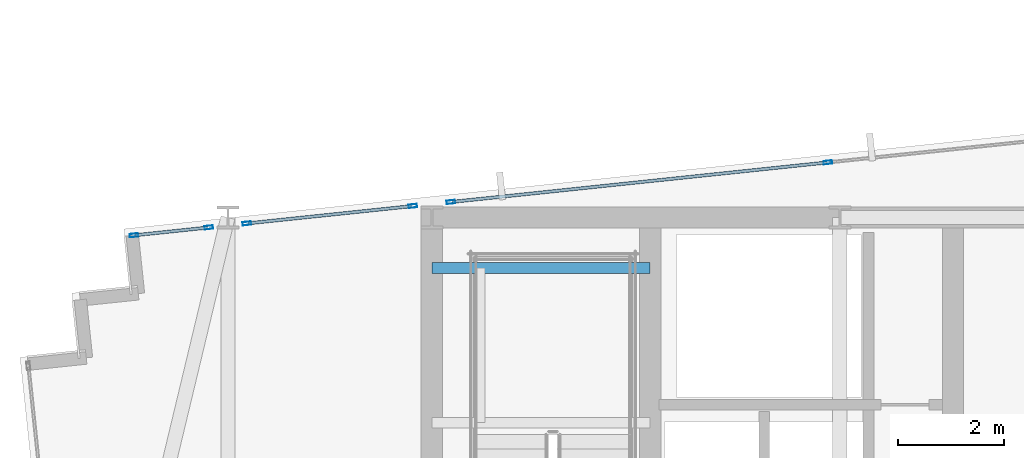
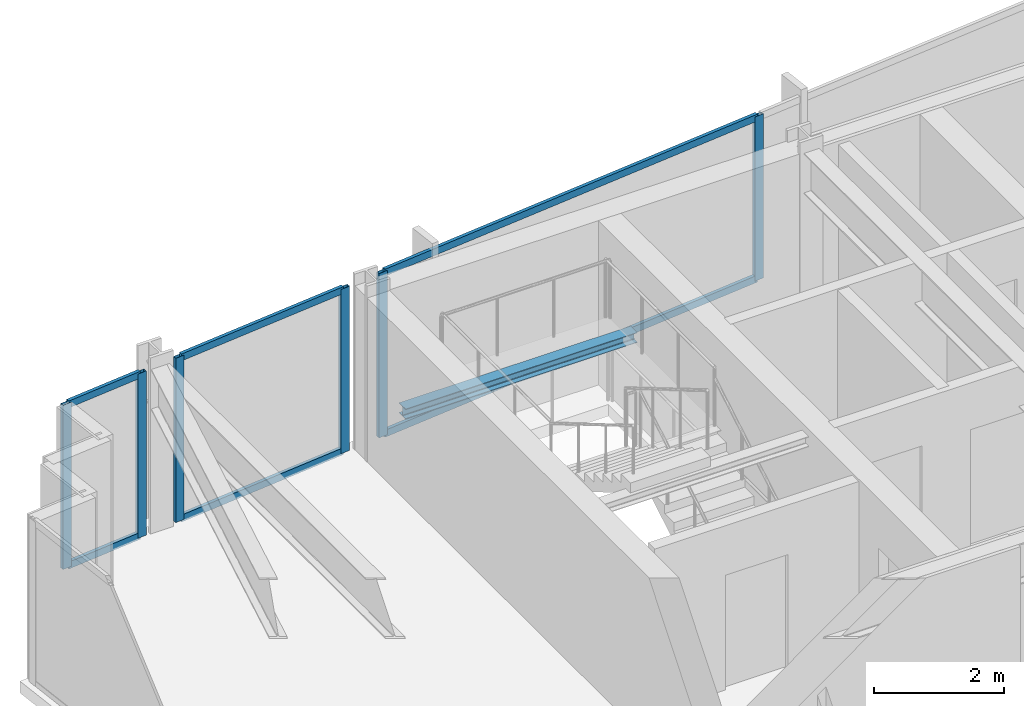
# One storey, part 20 of 33: 12 members, 1 beam, 3 elements without a shape of their own.
"""IFC4 building model written with IfcOpenShell, lengths in metres."""

from ifc_helpers import new_model, si_unit, direction, frame, origin, origin_2d, place, context, subcontext, project, spatial, hollow_rectangle, i_section, extrude, material, material_profile, profile_set, type_object, element, aggregate, save


model = new_model("IFC4")

# Units and contexts
model_context = context("Model", 3, precision=1e-05, world=origin(), true_north=direction((0.0, 1.0)))
body_context = subcontext(model_context, "Body", "Model", "MODEL_VIEW")
ifc_project = project(units=[si_unit("LENGTHUNIT", "METRE"), si_unit("AREAUNIT", "SQUARE_METRE"), si_unit("VOLUMEUNIT", "CUBIC_METRE"), si_unit("PLANEANGLEUNIT", "RADIAN"), si_unit("MASSUNIT", "GRAM", prefix="KILO")], contexts=[model_context])

# Site, building, storey
site_placement = place(None, origin())
site = spatial("IfcSite", under=ifc_project, at=site_placement, CompositionType="ELEMENT")
building_placement = place(site_placement, origin())
building = spatial("IfcBuilding", under=site, at=building_placement, Name="Yelkora Congress Tower", CompositionType="ELEMENT")
storey_placement = place(building_placement, frame((0.0, 0.0, 240.800048828125)))
storey = spatial("IfcBuildingStorey", under=building, at=storey_placement, Name="L67", CompositionType="ELEMENT", Elevation=240.800048828125)

# Beam
ifc_material_1 = material(Name="Steel S355J2", Category="steel")
ifc_material_profile_1 = material_profile(ifc_material_1, i_section(OverallWidth=0.199951171875, OverallDepth=0.18994140625, WebThickness=0.006591796875, FlangeThickness=0.010009765625, FilletRadius=0.01806640625, at=origin_2d()), Name="HEA 200")
ifc_profile_set_1 = profile_set([ifc_material_profile_1], Name="Steel S355J2")
beam_type = type_object("IfcBeamType", Name="BM-LAND-HEA200", PredefinedType="BEAM", material=ifc_profile_set_1)
beam_placement = place(storey_placement, frame((23.0400390625, 45.25, 1.33447265625), z_axis=(1.0, 0.0, 0.0), x_axis=(0.0, 1.0, 0.0)))
element("IfcBeam", 1, at=beam_placement, inside=storey, type_object=beam_type, Name="ST-01 L67 Landing Header Beam 1N", PredefinedType="BEAM", context=body_context, shape_type="SweptSolid", body=[
    extrude(i_section(OverallWidth=0.199951171875, OverallDepth=0.18994140625, WebThickness=0.006591796875, FlangeThickness=0.010009765625, FilletRadius=0.01806640625, at=origin_2d()), origin(), (0.0, 0.0, 1.0), 4.10986328125),
])

# Curtain wall, members
ifc_material_2 = material(Name="Anodised aluminium and insulated glass", Category="aluminium")
curtain_wall_type = type_object("IfcCurtainWallType", Name="CW-SYS-B4", PredefinedType="NOTDEFINED", material=ifc_material_2)
curtain_wall_1_placement = place(storey_placement, origin())
curtain_wall_1 = element("IfcCurtainWall", 2, at=curtain_wall_1_placement, inside=storey, type_object=curtain_wall_type, Name="L67 Unitised Curtain Wall 10 (1)", PredefinedType="NOTDEFINED")
ifc_material_3 = material(Name="Anodised aluminium 6063-T6", Category="aluminium")
ifc_material_profile_2 = material_profile(ifc_material_3, hollow_rectangle(XDim=0.06494140625, YDim=0.159912109375, WallThickness=0.00390625, at=origin_2d()), Name="ALU 65x160x4")
ifc_profile_set_2 = profile_set([ifc_material_profile_2], Name="Anodised aluminium 6063-T6")
member_type_1 = type_object("IfcMemberType", Name="MEM-ML-B4", PredefinedType="MULLION", material=ifc_profile_set_2)
member_1_placement = place(storey_placement, frame((17.431396484375, 45.865966796875, 0.0), z_axis=(0.0, 0.0, 1.0), x_axis=(-0.104509292244, 0.994523910137, 0.0)))
member_1 = element("IfcMember", 3, at=member_1_placement, type_object=member_type_1, Name="CW-B4 mullion 1", PredefinedType="MULLION", context=body_context, shape_type="SweptSolid", body=[
    extrude(hollow_rectangle(XDim=0.06494140625, YDim=0.159912109375, WallThickness=0.00390625, at=origin_2d()), origin(), (0.0, 0.0, 1.0), 3.079833984375),
])
member_2_placement = place(storey_placement, frame((18.841796875, 46.01416015625, 0.0), z_axis=(0.0, 0.0, 1.0), x_axis=(-0.104509292244, 0.994523910137, 0.0)))
member_2 = element("IfcMember", 4, at=member_2_placement, type_object=member_type_1, Name="CW-B4 mullion 2", PredefinedType="MULLION", context=body_context, shape_type="SweptSolid", body=[
    extrude(hollow_rectangle(XDim=0.06494140625, YDim=0.159912109375, WallThickness=0.00390625, at=origin_2d()), origin(), (0.0, 0.0, 1.0), 3.079833984375),
])

curtain_wall_2_placement = place(storey_placement, origin())
curtain_wall_2 = element("IfcCurtainWall", 5, at=curtain_wall_2_placement, inside=storey, type_object=curtain_wall_type, Name="L67 Unitised Curtain Wall 10 (2)", PredefinedType="NOTDEFINED")
member_3_placement = place(storey_placement, frame((19.558349609375, 46.089599609375, 0.0), z_axis=(0.0, 0.0, 1.0), x_axis=(-0.104506154437, 0.994524239868, 0.0)))
member_3 = element("IfcMember", 6, at=member_3_placement, type_object=member_type_1, Name="CW-B4 mullion 1", PredefinedType="MULLION", context=body_context, shape_type="SweptSolid", body=[
    extrude(hollow_rectangle(XDim=0.06494140625, YDim=0.159912109375, WallThickness=0.00390625, at=origin_2d()), origin(), (0.0, 0.0, 1.0), 3.079833984375),
])
member_4_placement = place(storey_placement, frame((22.681640625, 46.417724609375, 0.0), z_axis=(0.0, 0.0, 1.0), x_axis=(-0.104506154437, 0.994524239868, 0.0)))
member_4 = element("IfcMember", 7, at=member_4_placement, type_object=member_type_1, Name="CW-B4 mullion 2", PredefinedType="MULLION", context=body_context, shape_type="SweptSolid", body=[
    extrude(hollow_rectangle(XDim=0.06494140625, YDim=0.159912109375, WallThickness=0.00390625, at=origin_2d()), origin(), (0.0, 0.0, 1.0), 3.079833984375),
])

curtain_wall_3_placement = place(storey_placement, origin())
curtain_wall_3 = element("IfcCurtainWall", 8, at=curtain_wall_3_placement, inside=storey, type_object=curtain_wall_type, Name="L67 Unitised Curtain Wall 10 (3)", PredefinedType="NOTDEFINED")
member_5_placement = place(storey_placement, frame((23.3984375, 46.4931640625, 0.0), z_axis=(0.0, 0.0, 1.0), x_axis=(-0.104527724021, 0.994521973066, 0.0)))
member_5 = element("IfcMember", 9, at=member_5_placement, type_object=member_type_1, Name="CW-B4 mullion 1", PredefinedType="MULLION", context=body_context, shape_type="SweptSolid", body=[
    extrude(hollow_rectangle(XDim=0.06494140625, YDim=0.159912109375, WallThickness=0.00390625, at=origin_2d()), origin(), (0.0, 0.0, 1.0), 3.079833984375),
])
member_6_placement = place(storey_placement, frame((30.496826171875, 47.2392578125, 0.0), z_axis=(0.0, 0.0, 1.0), x_axis=(-0.104527724021, 0.994521973066, 0.0)))
member_6 = element("IfcMember", 10, at=member_6_placement, type_object=member_type_1, Name="CW-B4 mullion 2", PredefinedType="MULLION", context=body_context, shape_type="SweptSolid", body=[
    extrude(hollow_rectangle(XDim=0.06494140625, YDim=0.159912109375, WallThickness=0.00390625, at=origin_2d()), origin(), (0.0, 0.0, 1.0), 3.079833984375),
])

# Member
ifc_material_profile_3 = material_profile(ifc_material_3, hollow_rectangle(XDim=0.06005859375, YDim=0.1298828125, WallThickness=0.00390625, at=origin_2d()), Name="ALU 60x130x4")
ifc_profile_set_3 = profile_set([ifc_material_profile_3], Name="Anodised aluminium 6063-T6")
member_type_2 = type_object("IfcMemberType", Name="MEM-TR-B4", PredefinedType="USERDEFINED", material=ifc_profile_set_3)
member_7_placement = place(storey_placement, frame((17.463623046875, 45.869384765625, 0.030029296875), z_axis=(0.994528168538, 0.10446876081, 0.0), x_axis=(-0.10446876081, 0.994528168538, 0.0)))
member_7 = element("IfcMember", 11, at=member_7_placement, type_object=member_type_2, Name="CW-B4 transom 1.1", ObjectType="TRANSOM", PredefinedType="USERDEFINED", context=body_context, shape_type="SweptSolid", body=[
    extrude(hollow_rectangle(XDim=0.06005859375, YDim=0.1298828125, WallThickness=0.00390625, at=origin_2d()), origin(), (0.0, 0.0, 1.0), 1.35302734375),
])

member_8_placement = place(storey_placement, frame((17.463623046875, 45.869384765625, 3.050048828125), z_axis=(0.994528168538, 0.10446876081, 0.0), x_axis=(-0.10446876081, 0.994528168538, 0.0)))
member_8 = element("IfcMember", 12, at=member_8_placement, type_object=member_type_2, Name="CW-B4 transom 1.2", ObjectType="TRANSOM", PredefinedType="USERDEFINED", context=body_context, shape_type="SweptSolid", body=[
    extrude(hollow_rectangle(XDim=0.06005859375, YDim=0.1298828125, WallThickness=0.00390625, at=origin_2d()), origin(), (0.0, 0.0, 1.0), 1.35302734375),
])

aggregate(curtain_wall_1, [member_1, member_2, member_7, member_8])

member_9_placement = place(storey_placement, frame((19.590576171875, 46.093017578125, 0.030029296875), z_axis=(0.994528915126, 0.104461653149, 0.0), x_axis=(-0.104461653149, 0.994528915126, 0.0)))
member_9 = element("IfcMember", 13, at=member_9_placement, type_object=member_type_2, Name="CW-B4 transom 1.1", ObjectType="TRANSOM", PredefinedType="USERDEFINED", context=body_context, shape_type="SweptSolid", body=[
    extrude(hollow_rectangle(XDim=0.06005859375, YDim=0.1298828125, WallThickness=0.00390625, at=origin_2d()), origin(), (0.0, 0.0, 1.0), 3.07568359375),
])

member_10_placement = place(storey_placement, frame((19.590576171875, 46.093017578125, 3.050048828125), z_axis=(0.994528915126, 0.104461653149, 0.0), x_axis=(-0.104461653149, 0.994528915126, 0.0)))
member_10 = element("IfcMember", 14, at=member_10_placement, type_object=member_type_2, Name="CW-B4 transom 1.2", ObjectType="TRANSOM", PredefinedType="USERDEFINED", context=body_context, shape_type="SweptSolid", body=[
    extrude(hollow_rectangle(XDim=0.06005859375, YDim=0.1298828125, WallThickness=0.00390625, at=origin_2d()), origin(), (0.0, 0.0, 1.0), 3.07568359375),
])

aggregate(curtain_wall_2, [member_3, member_4, member_9, member_10])

member_11_placement = place(storey_placement, frame((23.4306640625, 46.49658203125, 0.030029296875), z_axis=(0.994522085625, 0.104526653081, 0.0), x_axis=(-0.104526653081, 0.994522085625, 0.0)))
member_11 = element("IfcMember", 15, at=member_11_placement, type_object=member_type_2, Name="CW-B4 transom 1.1", ObjectType="TRANSOM", PredefinedType="USERDEFINED", context=body_context, shape_type="SweptSolid", body=[
    extrude(hollow_rectangle(XDim=0.06005859375, YDim=0.1298828125, WallThickness=0.00390625, at=origin_2d()), origin(), (0.0, 0.0, 1.0), 7.072509765625),
])

member_12_placement = place(storey_placement, frame((23.4306640625, 46.49658203125, 3.050048828125), z_axis=(0.994522085625, 0.104526653081, 0.0), x_axis=(-0.104526653081, 0.994522085625, 0.0)))
member_12 = element("IfcMember", 16, at=member_12_placement, type_object=member_type_2, Name="CW-B4 transom 1.2", ObjectType="TRANSOM", PredefinedType="USERDEFINED", context=body_context, shape_type="SweptSolid", body=[
    extrude(hollow_rectangle(XDim=0.06005859375, YDim=0.1298828125, WallThickness=0.00390625, at=origin_2d()), origin(), (0.0, 0.0, 1.0), 7.072509765625),
])

aggregate(curtain_wall_3, [member_5, member_6, member_11, member_12])

save(model, "model.ifc")
